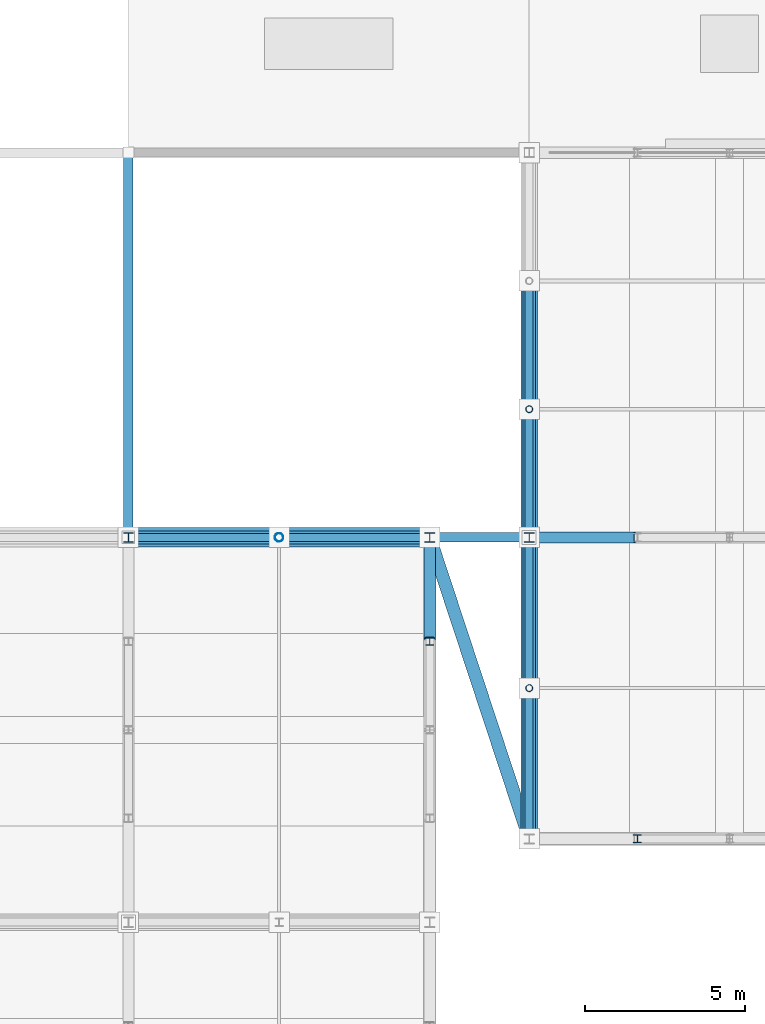
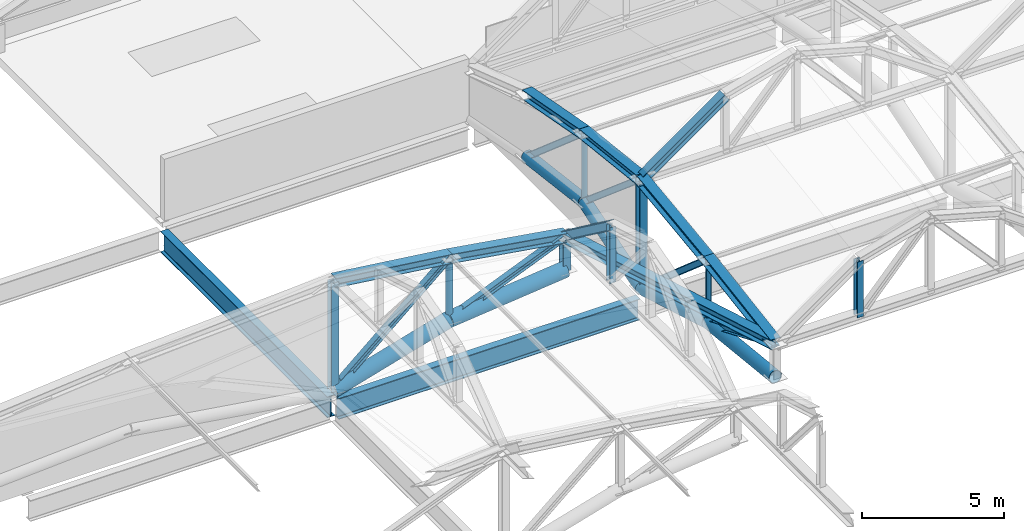
# One storey, part 43 of 117: 29 members, 2 beams.
"""IFC4 building model written with IfcOpenShell, lengths in metres."""

from ifc_helpers import new_model, si_unit, direction, frame, origin, origin_2d, place, context, subcontext, project, spatial, hollow_circle, i_section, extrude, material, material_profile, profile_set, type_object, element, save


model = new_model("IFC4")

# Units and contexts
model_context = context("Model", 3, precision=1e-05, world=origin(), true_north=direction((0.0, 1.0)))
body_context = subcontext(model_context, "Body", "Model", "MODEL_VIEW")
ifc_project = project(units=[si_unit("LENGTHUNIT", "METRE"), si_unit("AREAUNIT", "SQUARE_METRE"), si_unit("VOLUMEUNIT", "CUBIC_METRE"), si_unit("PLANEANGLEUNIT", "RADIAN"), si_unit("MASSUNIT", "GRAM", prefix="KILO")], contexts=[model_context])

# Site, building, storey
site_placement = place(None, origin())
site = spatial("IfcSite", under=ifc_project, at=site_placement, CompositionType="ELEMENT")
building_placement = place(site_placement, origin())
building = spatial("IfcBuilding", under=site, at=building_placement, Name="Kazenohara Klinker Stadium", CompositionType="ELEMENT")
storey_placement = place(building_placement, frame((0.0, 0.0, 31.199951171875)))
storey = spatial("IfcBuildingStorey", under=building, at=storey_placement, Name="RF", CompositionType="ELEMENT", Elevation=31.199951171875)

# Members
ifc_material = material(Name="Steel S355", Category="steel")
ifc_material_profile_1 = material_profile(ifc_material, i_section(OverallWidth=0.25, OverallDepth=0.25, WebThickness=0.009033203125, FlangeThickness=0.013916015625, FilletRadius=0.012939453125, at=origin_2d()), Name="H-250x250x9x14")
ifc_profile_set_1 = profile_set([ifc_material_profile_1], Name="Steel S355")
member_type_1 = type_object("IfcMemberType", Name="MEM-BRC02", PredefinedType="BRACE", material=ifc_profile_set_1)
member_1_placement = place(storey_placement, frame((61.5, 140.0, 0.75), z_axis=(0.0, -0.757253091298, 0.653121547432), x_axis=(1.0, 0.0, 0.0)))
element("IfcMember", 1, at=member_1_placement, inside=storey, type_object=member_type_1, Name="ROOF TRUSS RT-N01 web diagonal 2", PredefinedType="BRACE", context=body_context, shape_type="SweptSolid", body=[
    extrude(i_section(OverallWidth=0.25, OverallDepth=0.25, WebThickness=0.009033203125, FlangeThickness=0.013916015625, FilletRadius=0.012939453125, at=origin_2d()), origin(), (0.0, 0.0, 1.0), 5.2822265625),
])
member_2_placement = place(storey_placement, frame((61.5, 136.0, 1.25), z_axis=(0.0, -0.761925548551, 0.647664618815), x_axis=(1.0, 0.0, 0.0)))
element("IfcMember", 2, at=member_2_placement, inside=storey, type_object=member_type_1, Name="ROOF TRUSS RT-N01 web diagonal 3", PredefinedType="BRACE", context=body_context, shape_type="SweptSolid", body=[
    extrude(i_section(OverallWidth=0.25, OverallDepth=0.25, WebThickness=0.009033203125, FlangeThickness=0.013916015625, FilletRadius=0.012939453125, at=origin_2d()), origin(), (0.0, 0.0, 1.0), 5.249755859375),
])
member_3_placement = place(storey_placement, frame((61.5, 132.0, -0.02001953125), z_axis=(0.0, -0.755945561544, 0.65463448426), x_axis=(1.0, 0.0, 0.0)))
element("IfcMember", 3, at=member_3_placement, inside=storey, type_object=member_type_1, Name="ROOF TRUSS RT-N01 web diagonal 4", PredefinedType="BRACE", context=body_context, shape_type="SweptSolid", body=[
    extrude(i_section(OverallWidth=0.25, OverallDepth=0.25, WebThickness=0.009033203125, FlangeThickness=0.013916015625, FilletRadius=0.012939453125, at=origin_2d()), origin(), (0.0, 0.0, 1.0), 6.21728515625),
])
member_4_placement = place(storey_placement, frame((61.5, 127.300048828125, 1.35009765625), z_axis=(0.0, -0.923659284192, 0.383214726655), x_axis=(1.0, 0.0, 0.0)))
element("IfcMember", 4, at=member_4_placement, inside=storey, type_object=member_type_1, Name="ROOF TRUSS RT-N01 web diagonal 5", PredefinedType="BRACE", context=body_context, shape_type="SweptSolid", body=[
    extrude(i_section(OverallWidth=0.25, OverallDepth=0.25, WebThickness=0.009033203125, FlangeThickness=0.013916015625, FilletRadius=0.012939453125, at=origin_2d()), origin(), (0.0, 0.0, 1.0), 5.08837890625),
])
member_5_placement = place(storey_placement, frame((49.0, 132.0, -0.02001953125), z_axis=(0.755945561544, 0.0, 0.65463448426), x_axis=(0.0, 1.0, 0.0)))
element("IfcMember", 5, at=member_5_placement, inside=storey, type_object=member_type_1, Name="ROOF TRUSS RT-W08 web diagonal 4", PredefinedType="BRACE", context=body_context, shape_type="SweptSolid", body=[
    extrude(i_section(OverallWidth=0.25, OverallDepth=0.25, WebThickness=0.009033203125, FlangeThickness=0.013916015625, FilletRadius=0.012939453125, at=origin_2d()), origin(), (0.0, 0.0, 1.0), 6.21728515625),
])
member_6_placement = place(storey_placement, frame((53.699951171875, 132.0, 1.35009765625), z_axis=(0.923659284192, 0.0, 0.383214726655), x_axis=(0.0, 1.0, 0.0)))
element("IfcMember", 6, at=member_6_placement, inside=storey, type_object=member_type_1, Name="ROOF TRUSS RT-W08 web diagonal 5", PredefinedType="BRACE", context=body_context, shape_type="SweptSolid", body=[
    extrude(i_section(OverallWidth=0.25, OverallDepth=0.25, WebThickness=0.009033203125, FlangeThickness=0.013916015625, FilletRadius=0.012939453125, at=origin_2d()), origin(), (0.0, 0.0, 1.0), 5.08837890625),
])
ifc_material_profile_2 = material_profile(ifc_material, i_section(OverallWidth=0.39990234375, OverallDepth=0.39990234375, WebThickness=0.012939453125, FlangeThickness=0.02099609375, FilletRadius=0.02197265625, at=origin_2d()), Name="H-400x400x13x21")
ifc_profile_set_2 = profile_set([ifc_material_profile_2], Name="Steel S355")
member_type_2 = type_object("IfcMemberType", Name="MEM-CHD01", PredefinedType="CHORD", material=ifc_profile_set_2)
member_7_placement = place(storey_placement, frame((61.5, 140.0, 3.449951171875), z_axis=(0.0, -0.982872186934, 0.18428853505), x_axis=(1.0, 0.0, 0.0)))
element("IfcMember", 7, at=member_7_placement, inside=storey, type_object=member_type_2, Name="ROOF TRUSS RT-N01 top arched chord 2", PredefinedType="CHORD", context=body_context, shape_type="SweptSolid", body=[
    extrude(i_section(OverallWidth=0.39990234375, OverallDepth=0.39990234375, WebThickness=0.012939453125, FlangeThickness=0.02099609375, FilletRadius=0.02197265625, at=origin_2d()), origin(), (0.0, 0.0, 1.0), 4.06982421875),
])
member_8_placement = place(storey_placement, frame((61.5, 136.0, 4.199951171875), z_axis=(0.0, -0.993725924527, 0.111842688283), x_axis=(1.0, 0.0, 0.0)))
element("IfcMember", 8, at=member_8_placement, inside=storey, type_object=member_type_2, Name="ROOF TRUSS RT-N01 top arched chord 3", PredefinedType="CHORD", context=body_context, shape_type="SweptSolid", body=[
    extrude(i_section(OverallWidth=0.39990234375, OverallDepth=0.39990234375, WebThickness=0.012939453125, FlangeThickness=0.02099609375, FilletRadius=0.02197265625, at=origin_2d()), origin(), (0.0, 0.0, 1.0), 4.025146484375),
])
member_9_placement = place(storey_placement, frame((61.5, 132.0, 4.650146484375), z_axis=(0.0, -0.99194702514, -0.126653461524), x_axis=(1.0, 0.0, 0.0)))
element("IfcMember", 9, at=member_9_placement, inside=storey, type_object=member_type_2, Name="ROOF TRUSS RT-N01 top arched chord 4", PredefinedType="CHORD", context=body_context, shape_type="SweptSolid", body=[
    extrude(i_section(OverallWidth=0.39990234375, OverallDepth=0.39990234375, WebThickness=0.012939453125, FlangeThickness=0.02099609375, FilletRadius=0.02197265625, at=origin_2d()), origin(), (0.0, 0.0, 1.0), 4.738037109375),
])
member_10_placement = place(storey_placement, frame((61.5, 127.300048828125, 4.050048828125), z_axis=(0.0, -0.987505848374, -0.157582357602), x_axis=(1.0, 0.0, 0.0)))
element("IfcMember", 10, at=member_10_placement, inside=storey, type_object=member_type_2, Name="ROOF TRUSS RT-N01 top arched chord 5", PredefinedType="CHORD", context=body_context, shape_type="SweptSolid", body=[
    extrude(i_section(OverallWidth=0.39990234375, OverallDepth=0.39990234375, WebThickness=0.012939453125, FlangeThickness=0.02099609375, FilletRadius=0.02197265625, at=origin_2d()), origin(), (0.0, 0.0, 1.0), 4.759521484375),
])
member_11_placement = place(storey_placement, frame((49.0, 132.0, 4.650146484375), z_axis=(0.99194702514, 0.0, -0.126653461524), x_axis=(0.0, 1.0, 0.0)))
element("IfcMember", 11, at=member_11_placement, inside=storey, type_object=member_type_2, Name="ROOF TRUSS RT-W08 top arched chord 4", PredefinedType="CHORD", context=body_context, shape_type="SweptSolid", body=[
    extrude(i_section(OverallWidth=0.39990234375, OverallDepth=0.39990234375, WebThickness=0.012939453125, FlangeThickness=0.02099609375, FilletRadius=0.02197265625, at=origin_2d()), origin(), (0.0, 0.0, 1.0), 4.738037109375),
])
member_12_placement = place(storey_placement, frame((53.699951171875, 132.0, 4.050048828125), z_axis=(0.987505848374, 0.0, -0.157582357602), x_axis=(0.0, 1.0, 0.0)))
element("IfcMember", 12, at=member_12_placement, inside=storey, type_object=member_type_2, Name="ROOF TRUSS RT-W08 top arched chord 5", PredefinedType="CHORD", context=body_context, shape_type="SweptSolid", body=[
    extrude(i_section(OverallWidth=0.39990234375, OverallDepth=0.39990234375, WebThickness=0.012939453125, FlangeThickness=0.02099609375, FilletRadius=0.02197265625, at=origin_2d()), origin(), (0.0, 0.0, 1.0), 4.759521484375),
])
member_13_placement = place(storey_placement, frame((58.39990234375, 132.0, 3.300048828125), z_axis=(0.313207063668, -0.949684861029, 0.0), x_axis=(0.949684861029, 0.313207063668, 0.0)))
element("IfcMember", 13, at=member_13_placement, inside=storey, type_object=member_type_2, Name="Inner tension ring chord TC01 segment 08", PredefinedType="CHORD", context=body_context, shape_type="SweptSolid", body=[
    extrude(i_section(OverallWidth=0.39990234375, OverallDepth=0.39990234375, WebThickness=0.012939453125, FlangeThickness=0.02099609375, FilletRadius=0.02197265625, at=origin_2d()), origin(), (0.0, 0.0, 1.0), 9.89794921875),
])
ifc_material_profile_3 = material_profile(ifc_material, i_section(OverallWidth=0.35009765625, OverallDepth=0.35009765625, WebThickness=0.011962890625, FlangeThickness=0.01904296875, FilletRadius=0.012939453125, at=origin_2d()), Name="H-350x350x12x19")
ifc_profile_set_3 = profile_set([ifc_material_profile_3], Name="Steel S355")
member_type_3 = type_object("IfcMemberType", Name="MEM-CHD02", PredefinedType="CHORD", material=ifc_profile_set_3)
member_14_placement = place(storey_placement, frame((58.39990234375, 128.760009765625, 5.699951171875), z_axis=(0.0, 0.803567919639, -0.595213069856), x_axis=(-1.0, 0.0, 0.0)))
element("IfcMember", 14, at=member_14_placement, inside=storey, type_object=member_type_3, Name="Barrel arch top rib TC02 W-07-N5-S4", PredefinedType="CHORD", context=body_context, shape_type="SweptSolid", body=[
    extrude(i_section(OverallWidth=0.35009765625, OverallDepth=0.35009765625, WebThickness=0.011962890625, FlangeThickness=0.01904296875, FilletRadius=0.012939453125, at=origin_2d()), origin(), (0.0, 0.0, 1.0), 4.031982421875),
])
member_15_placement = place(storey_placement, frame((61.5, 132.0, 4.650146484375), z_axis=(0.814966461491, 0.0, 0.579508124744), x_axis=(0.0, 1.0, 0.0)))
element("IfcMember", 15, at=member_15_placement, inside=storey, type_object=member_type_3, Name="Barrel arch top rib TC02 N-01-N3-S1", PredefinedType="CHORD", context=body_context, shape_type="SweptSolid", body=[
    extrude(i_section(OverallWidth=0.35009765625, OverallDepth=0.35009765625, WebThickness=0.011962890625, FlangeThickness=0.01904296875, FilletRadius=0.012939453125, at=origin_2d()), origin(), (0.0, 0.0, 1.0), 4.141357421875),
])
ifc_material_profile_4 = material_profile(ifc_material, hollow_circle(Radius=0.25390625, WallThickness=0.01611328125, at=origin_2d()), Name="CHS-508.0x16")
ifc_profile_set_4 = profile_set([ifc_material_profile_4], Name="Steel S355")
member_type_4 = type_object("IfcMemberType", Name="MEM-CHD04", PredefinedType="CHORD", material=ifc_profile_set_4)
member_16_placement = place(storey_placement, frame((61.5, 140.0, 0.75), z_axis=(0.0, -0.992277876714, 0.124034734589), x_axis=(1.0, 0.0, 0.0)))
element("IfcMember", 16, at=member_16_placement, inside=storey, type_object=member_type_4, Name="ROOF TRUSS RT-N01 bottom arched chord 2", PredefinedType="CHORD", context=body_context, shape_type="SweptSolid", body=[
    extrude(hollow_circle(Radius=0.25390625, WallThickness=0.01611328125, at=origin_2d()), origin(), (0.0, 0.0, 1.0), 4.03125),
])
member_17_placement = place(storey_placement, frame((61.5, 136.0, 1.25), z_axis=(0.0, -0.953112016541, -0.302617719119), x_axis=(1.0, 0.0, 0.0)))
element("IfcMember", 17, at=member_17_placement, inside=storey, type_object=member_type_4, Name="ROOF TRUSS RT-N01 bottom arched chord 3", PredefinedType="CHORD", context=body_context, shape_type="SweptSolid", body=[
    extrude(hollow_circle(Radius=0.25390625, WallThickness=0.01611328125, at=origin_2d()), origin(), (0.0, 0.0, 1.0), 4.19677734375),
])
member_18_placement = place(storey_placement, frame((61.5, 132.0, -0.02001953125), z_axis=(0.0, -0.960038530088, 0.279867863012), x_axis=(1.0, 0.0, 0.0)))
element("IfcMember", 18, at=member_18_placement, inside=storey, type_object=member_type_4, Name="ROOF TRUSS RT-N01 bottom arched chord 4", PredefinedType="CHORD", context=body_context, shape_type="SweptSolid", body=[
    extrude(hollow_circle(Radius=0.25390625, WallThickness=0.01611328125, at=origin_2d()), origin(), (0.0, 0.0, 1.0), 4.8955078125),
])
member_19_placement = place(storey_placement, frame((61.5, 127.300048828125, 1.35009765625), z_axis=(0.0, -0.99438879757, 0.105787141313), x_axis=(1.0, 0.0, 0.0)))
element("IfcMember", 19, at=member_19_placement, inside=storey, type_object=member_type_4, Name="ROOF TRUSS RT-N01 bottom arched chord 5", PredefinedType="CHORD", context=body_context, shape_type="SweptSolid", body=[
    extrude(hollow_circle(Radius=0.25390625, WallThickness=0.01611328125, at=origin_2d()), origin(), (0.0, 0.0, 1.0), 4.7265625),
])
ifc_material_profile_5 = material_profile(ifc_material, hollow_circle(Radius=0.3046875, WallThickness=0.01611328125, at=origin_2d()), Name="CHS-609.6x16")
ifc_profile_set_5 = profile_set([ifc_material_profile_5], Name="Steel S355")
member_type_5 = type_object("IfcMemberType", Name="MEM-CHD05", PredefinedType="CHORD", material=ifc_profile_set_5)
member_20_placement = place(storey_placement, frame((49.0, 132.0, -0.02001953125), z_axis=(0.960038530088, 0.0, 0.279867863012), x_axis=(0.0, 1.0, 0.0)))
element("IfcMember", 20, at=member_20_placement, inside=storey, type_object=member_type_5, Name="ROOF TRUSS RT-W08 bottom arched chord 4", PredefinedType="CHORD", context=body_context, shape_type="SweptSolid", body=[
    extrude(hollow_circle(Radius=0.3046875, WallThickness=0.01611328125, at=origin_2d()), origin(), (0.0, 0.0, 1.0), 4.8955078125),
])
member_21_placement = place(storey_placement, frame((53.699951171875, 132.0, 1.35009765625), z_axis=(0.99438879757, 0.0, 0.105787141313), x_axis=(0.0, 1.0, 0.0)))
element("IfcMember", 21, at=member_21_placement, inside=storey, type_object=member_type_5, Name="ROOF TRUSS RT-W08 bottom arched chord 5", PredefinedType="CHORD", context=body_context, shape_type="SweptSolid", body=[
    extrude(hollow_circle(Radius=0.3046875, WallThickness=0.01611328125, at=origin_2d()), origin(), (0.0, 0.0, 1.0), 4.7265625),
])
ifc_material_profile_6 = material_profile(ifc_material, i_section(OverallWidth=0.300048828125, OverallDepth=0.300048828125, WebThickness=0.010009765625, FlangeThickness=0.014892578125, FilletRadius=0.012939453125, at=origin_2d()), Name="H-300x300x10x15")
ifc_profile_set_6 = profile_set([ifc_material_profile_6], Name="Steel S355")
member_type_6 = type_object("IfcMemberType", Name="MEM-STR01", PredefinedType="STRUT", material=ifc_profile_set_6)
for number, where, z_axis, x_axis, name in (
    (22, (61.5, 132.0, -0.02001953125), (0.0, 0.0, 1.0), (1.0, 0.0, 0.0), "ROOF TRUSS RT-N01 web post 4"),
    (23, (49.0, 132.0, -0.02001953125), (0.0, 0.0, 1.0), (1.0, 0.0, 0.0), "ROOF TRUSS RT-W08 web post 4"),
):
    element("IfcMember", number, at=place(storey_placement, frame(where, z_axis=z_axis, x_axis=x_axis)), inside=storey, type_object=member_type_6, Name=name, PredefinedType="STRUT", context=body_context, shape_type="SweptSolid", body=[
        extrude(i_section(OverallWidth=0.300048828125, OverallDepth=0.300048828125, WebThickness=0.010009765625, FlangeThickness=0.014892578125, FilletRadius=0.012939453125, at=origin_2d()), origin(), (0.0, 0.0, 1.0), 4.670166015625),
    ])
member_22_placement = place(storey_placement, frame((58.39990234375, 132.0, 1.85009765625), z_axis=(0.0, 0.0, 1.0), x_axis=(1.0, 0.0, 0.0)))
element("IfcMember", 24, at=member_22_placement, inside=storey, type_object=member_type_6, Name="ROOF TRUSS RT-W08 web post 6", PredefinedType="STRUT", context=body_context, shape_type="SweptSolid", body=[
    extrude(i_section(OverallWidth=0.300048828125, OverallDepth=0.300048828125, WebThickness=0.010009765625, FlangeThickness=0.014892578125, FilletRadius=0.012939453125, at=origin_2d()), origin(), (0.0, 0.0, 1.0), 1.449951171875),
])
ifc_material_profile_7 = material_profile(ifc_material, i_section(OverallWidth=0.25, OverallDepth=0.25, WebThickness=0.009033203125, FlangeThickness=0.013916015625, FilletRadius=0.012939453125, at=origin_2d()), Name="H-250x250x9x14")
ifc_profile_set_7 = profile_set([ifc_material_profile_7], Name="Steel S355")
member_type_7 = type_object("IfcMemberType", Name="MEM-STR02", PredefinedType="STRUT", material=ifc_profile_set_7)
for number, where, z_axis, x_axis, name in (
    (25, (58.39990234375, 128.760009765625, 3.300048828125), (0.0, 0.0, 1.0), (1.0, 0.0, 0.0), "Barrel arch web post TS02 W-07-N5-P3"),
    (26, (64.875, 122.60009765625, 3.300048828125), (0.0, 0.0, 1.0), (1.0, 0.0, 0.0), "Barrel arch web post TS02 N-01-N5-P1"),
):
    element("IfcMember", number, at=place(storey_placement, frame(where, z_axis=z_axis, x_axis=x_axis)), inside=storey, type_object=member_type_7, Name=name, PredefinedType="STRUT", context=body_context, shape_type="SweptSolid", body=[
        extrude(i_section(OverallWidth=0.25, OverallDepth=0.25, WebThickness=0.009033203125, FlangeThickness=0.013916015625, FilletRadius=0.012939453125, at=origin_2d()), origin(), (0.0, 0.0, 1.0), 2.39990234375),
    ])
ifc_material_profile_8 = material_profile(ifc_material, hollow_circle(Radius=0.1337890625, WallThickness=0.009033203125, at=origin_2d()), Name="CHS-267.4x9")
ifc_profile_set_8 = profile_set([ifc_material_profile_8], Name="Steel S355")
member_type_8 = type_object("IfcMemberType", Name="MEM-STR03", PredefinedType="STRUT", material=ifc_profile_set_8)
member_23_placement = place(storey_placement, frame((53.699951171875, 132.0, 1.35009765625), z_axis=(0.0, 0.0, 1.0), x_axis=(1.0, 0.0, 0.0)))
element("IfcMember", 27, at=member_23_placement, inside=storey, type_object=member_type_8, Name="ROOF TRUSS RT-W08 web post 5", PredefinedType="STRUT", context=body_context, shape_type="SweptSolid", body=[
    extrude(hollow_circle(Radius=0.1337890625, WallThickness=0.009033203125, at=origin_2d()), origin(), (0.0, 0.0, 1.0), 2.699951171875),
])
ifc_material_profile_9 = material_profile(ifc_material, hollow_circle(Radius=0.108154296875, WallThickness=0.008056640625, at=origin_2d()), Name="CHS-216.3x8")
ifc_profile_set_9 = profile_set([ifc_material_profile_9], Name="Steel S355")
member_type_9 = type_object("IfcMemberType", Name="MEM-STR04", PredefinedType="STRUT", material=ifc_profile_set_9)
member_24_placement = place(storey_placement, frame((61.5, 136.0, 1.25), z_axis=(0.0, 0.0, 1.0), x_axis=(1.0, 0.0, 0.0)))
element("IfcMember", 28, at=member_24_placement, inside=storey, type_object=member_type_9, Name="ROOF TRUSS RT-N01 web post 3", PredefinedType="STRUT", context=body_context, shape_type="SweptSolid", body=[
    extrude(hollow_circle(Radius=0.108154296875, WallThickness=0.008056640625, at=origin_2d()), origin(), (0.0, 0.0, 1.0), 2.949951171875),
])
member_25_placement = place(storey_placement, frame((61.5, 127.300048828125, 1.35009765625), z_axis=(0.0, 0.0, 1.0), x_axis=(1.0, 0.0, 0.0)))
element("IfcMember", 29, at=member_25_placement, inside=storey, type_object=member_type_9, Name="ROOF TRUSS RT-N01 web post 5", PredefinedType="STRUT", context=body_context, shape_type="SweptSolid", body=[
    extrude(hollow_circle(Radius=0.108154296875, WallThickness=0.008056640625, at=origin_2d()), origin(), (0.0, 0.0, 1.0), 2.699951171875),
])

# Beams
ifc_material_profile_10 = material_profile(ifc_material, i_section(OverallWidth=0.300048828125, OverallDepth=0.89990234375, WebThickness=0.01611328125, FlangeThickness=0.028076171875, FilletRadius=0.02197265625, at=origin_2d()), Name="H-900x300x16x28")
ifc_profile_set_10 = profile_set([ifc_material_profile_10], Name="Steel S355")
beam_type = type_object("IfcBeamType", Name="RING-RB01", PredefinedType="USERDEFINED", material=ifc_profile_set_10)
beam_1_placement = place(storey_placement, frame((49.0, 132.139892578125, -0.820068359375), z_axis=(0.0, 1.0, 0.0), x_axis=(-1.0, 0.0, 0.0)))
element("IfcBeam", 30, at=beam_1_placement, inside=storey, type_object=beam_type, Name="Roof ring beam RB01 W-IN M-N", ObjectType="RING BEAM", PredefinedType="USERDEFINED", context=body_context, shape_type="SweptSolid", body=[
    extrude(i_section(OverallWidth=0.300048828125, OverallDepth=0.89990234375, WebThickness=0.01611328125, FlangeThickness=0.028076171875, FilletRadius=0.02197265625, at=origin_2d()), origin(), (0.0, 0.0, 1.0), 11.72021484375),
])
beam_2_placement = place(storey_placement, frame((49.139892578125, 132.0, -0.820068359375), z_axis=(1.0, 0.0, 0.0), x_axis=(0.0, 1.0, 0.0)))
element("IfcBeam", 31, at=beam_2_placement, inside=storey, type_object=beam_type, Name="Roof ring beam RB01 N-IN 5-6", ObjectType="RING BEAM", PredefinedType="USERDEFINED", context=body_context, shape_type="SweptSolid", body=[
    extrude(i_section(OverallWidth=0.300048828125, OverallDepth=0.89990234375, WebThickness=0.01611328125, FlangeThickness=0.028076171875, FilletRadius=0.02197265625, at=origin_2d()), origin(), (0.0, 0.0, 1.0), 12.22021484375),
])

save(model, "model.ifc")
